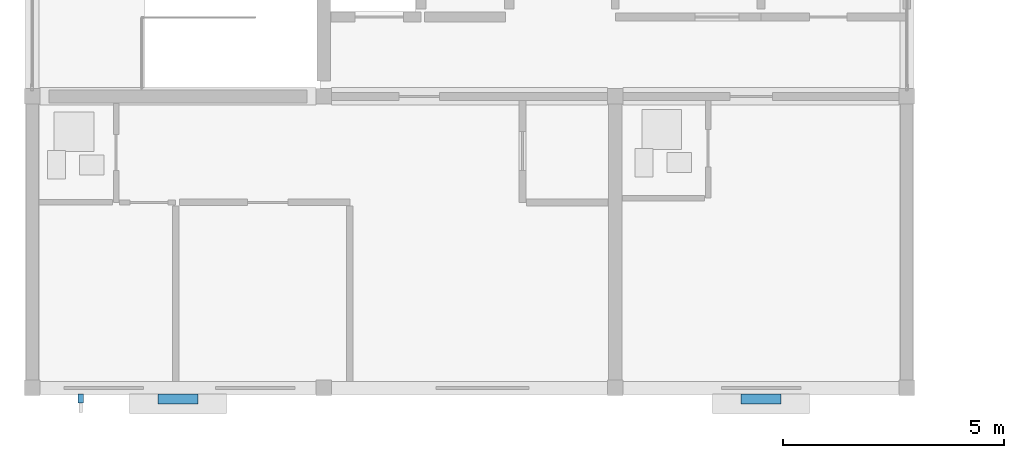
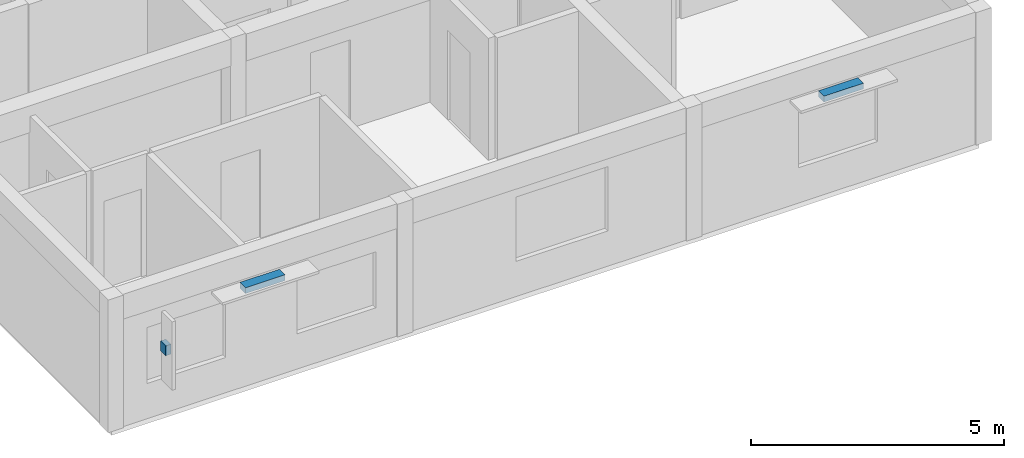
# One storey, part 40 of 49: 3 discrete accessories.
"""IFC4 building model written with IfcOpenShell, lengths in metres."""

from ifc_helpers import new_model, si_unit, direction, frame, origin, origin_2d, place, context, subcontext, project, spatial, rectangle, extrude, material, type_object, element, save


model = new_model("IFC4")

# Units and contexts
model_context = context("Model", 3, precision=1e-05, world=origin(), true_north=direction((0.0, 1.0)))
body_context = subcontext(model_context, "Body", "Model", "MODEL_VIEW")
ifc_project = project(units=[si_unit("LENGTHUNIT", "METRE"), si_unit("AREAUNIT", "SQUARE_METRE"), si_unit("VOLUMEUNIT", "CUBIC_METRE"), si_unit("PLANEANGLEUNIT", "RADIAN"), si_unit("MASSUNIT", "GRAM", prefix="KILO")], contexts=[model_context])

# Site, building, storey
site_placement = place(None, origin())
site = spatial("IfcSite", under=ifc_project, at=site_placement, CompositionType="ELEMENT")
building_placement = place(site_placement, origin())
building = spatial("IfcBuilding", under=site, at=building_placement, Name="Kernevlak Ridge Housing Community", CompositionType="ELEMENT")
storey_placement = place(building_placement, frame((0.0, 0.0, 30.800048828125)))
storey = spatial("IfcBuildingStorey", under=building, at=storey_placement, Name="L09", CompositionType="ELEMENT", Elevation=30.800048828125)

# Discrete accessories
ifc_material = material(Name="Steel S355 galvanised", Category="steel")
discrete_accessory_type = type_object("IfcDiscreteAccessoryType", Name="BK-01", PredefinedType="BRACKET", material=ifc_material)
discrete_accessory_1_placement = place(storey_placement, frame((18.89990234375, 15.35009765625, 2.41015625), z_axis=(0.0, 0.0, 1.0), x_axis=(1.0, 0.0, 0.0)))
element("IfcDiscreteAccessory", 1, at=discrete_accessory_1_placement, inside=storey, type_object=discrete_accessory_type, Name="Sunshade steel bracket 45", PredefinedType="BRACKET", context=body_context, shape_type="SweptSolid", body=[
    extrude(rectangle(XDim=0.89990234375, YDim=0.219970703125, at=origin_2d()), origin(), (0.0, 0.0, 1.0), 0.139892578125),
])
discrete_accessory_2_placement = place(storey_placement, frame((16.699951171875, 15.360107421875, 1.52978515625), z_axis=(0.0, 0.0, 1.0), x_axis=(1.0, 0.0, 0.0)))
element("IfcDiscreteAccessory", 2, at=discrete_accessory_2_placement, inside=storey, type_object=discrete_accessory_type, Name="Vertical fin fixing bracket 45", PredefinedType="BRACKET", context=body_context, shape_type="SweptSolid", body=[
    extrude(rectangle(XDim=0.1201171875, YDim=0.199951171875, at=origin_2d()), origin(), (0.0, 0.0, 1.0), 0.239990234375),
])
discrete_accessory_3_placement = place(storey_placement, frame((32.10009765625, 15.35009765625, 2.41015625), z_axis=(0.0, 0.0, 1.0), x_axis=(1.0, 0.0, 0.0)))
element("IfcDiscreteAccessory", 3, at=discrete_accessory_3_placement, inside=storey, type_object=discrete_accessory_type, Name="Sunshade steel bracket 46", PredefinedType="BRACKET", context=body_context, shape_type="SweptSolid", body=[
    extrude(rectangle(XDim=0.89990234375, YDim=0.219970703125, at=origin_2d()), origin(), (0.0, 0.0, 1.0), 0.139892578125),
])

save(model, "model.ifc")
